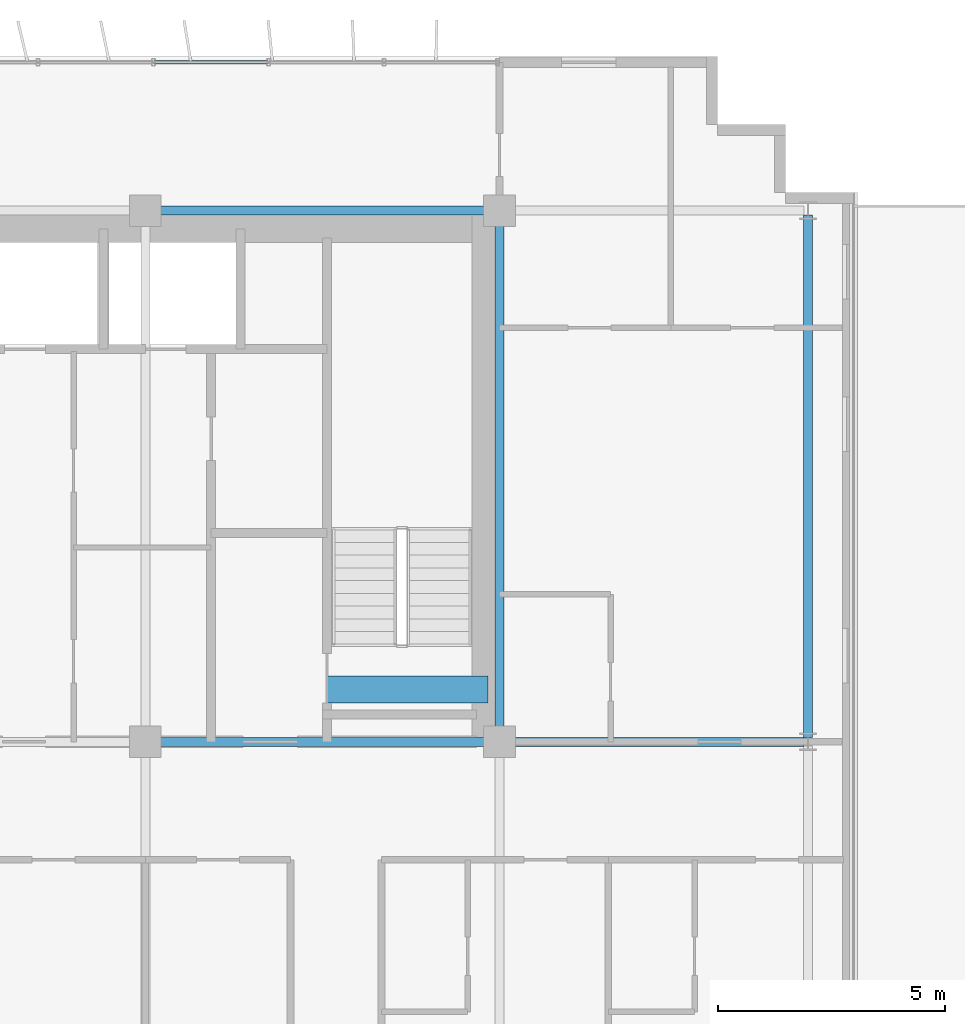
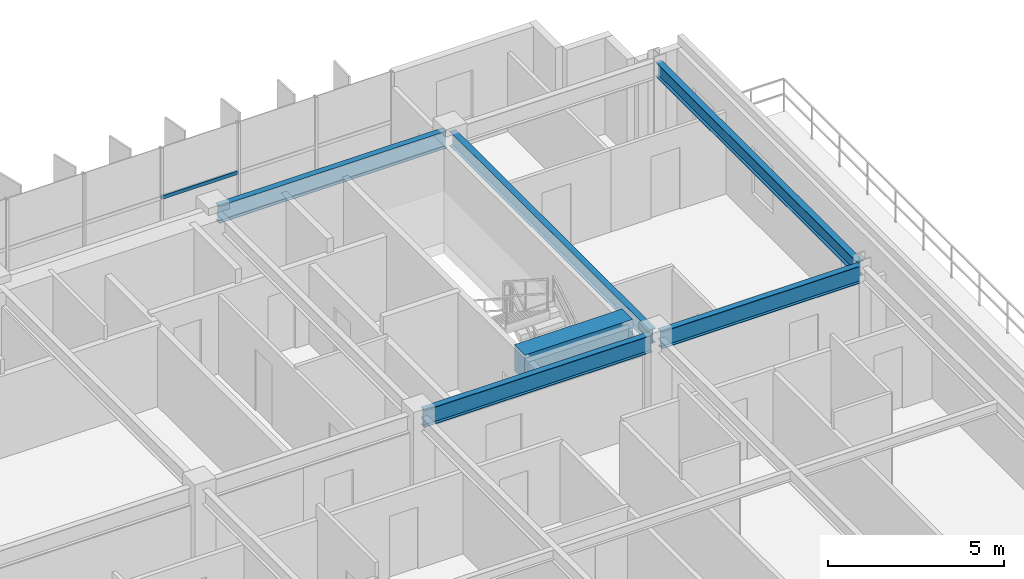
# One storey, part 10 of 22: 6 beams, 1 member, 1 element without a shape of its own.
"""IFC4 building model written with IfcOpenShell, lengths in metres."""

from ifc_helpers import new_model, si_unit, direction, frame, origin, origin_2d, place, context, subcontext, project, spatial, rectangle, hollow_rectangle, i_section, extrude, source, transform, mapped, material, material_profile, profile_set, type_object, element, aggregate, save


model = new_model("IFC4")

# Units and contexts
model_context = context("Model", 3, precision=1e-05, world=origin(), true_north=direction((0.0, 1.0)))
body_context = subcontext(model_context, "Body", "Model", "MODEL_VIEW")
ifc_project = project(units=[si_unit("LENGTHUNIT", "METRE"), si_unit("AREAUNIT", "SQUARE_METRE"), si_unit("VOLUMEUNIT", "CUBIC_METRE"), si_unit("PLANEANGLEUNIT", "RADIAN"), si_unit("MASSUNIT", "GRAM", prefix="KILO")], contexts=[model_context])

# Site, building, storey
site_placement = place(None, origin())
site = spatial("IfcSite", under=ifc_project, at=site_placement, CompositionType="ELEMENT")
building_placement = place(site_placement, origin())
building = spatial("IfcBuilding", under=site, at=building_placement, Name="Trelvane Seafront Commons", CompositionType="ELEMENT")
storey_placement = place(building_placement, frame((0.0, 0.0, 132.10009765625)))
storey = spatial("IfcBuildingStorey", under=building, at=storey_placement, Name="L34", CompositionType="ELEMENT", Elevation=132.10009765625)

# Beams
ifc_material_1 = material(Name="Concrete C60/75", Category="concrete")
ifc_material_profile_1 = material_profile(ifc_material_1, rectangle(XDim=0.60009765625, YDim=0.89990234375, at=origin_2d()), Name="RC-600x900")
ifc_profile_set_1 = profile_set([ifc_material_profile_1], Name="Concrete C60/75")
beam_type_1 = type_object("IfcBeamType", Name="STR-LNT-RC600x900", PredefinedType="LINTEL", material=ifc_profile_set_1)
shared_shape_1 = source(origin(), body_context, "Body", "SweptSolid", [
    extrude(rectangle(XDim=0.60009765625, YDim=0.89990234375, at=origin_2d()), origin(), (0.0, 0.0, 1.0), 3.550048828125),
])
beam_1_placement = place(storey_placement, frame((55.0, 34.550048828125, 2.89990234375), z_axis=(1.0, 0.0, 0.0), x_axis=(0.0, 1.0, 0.0)))
element("IfcBeam", 1, at=beam_1_placement, inside=storey, type_object=beam_type_1, Name="L34 Core Coupling Lintel Beam CB-68", PredefinedType="LINTEL", context=body_context, shape_type="MappedRepresentation", body=[
    mapped(shared_shape_1, transform((0.0, 0.0, 0.0), x_axis=(1.0, 0.0, 0.0), y_axis=(0.0, 1.0, 0.0), z_axis=(0.0, 0.0, 1.0), scale=1.0)),
])
ifc_material_2 = material(Name="Steel SM355 (S355)", Category="steel")
ifc_material_profile_2 = material_profile(ifc_material_2, i_section(OverallWidth=0.199951171875, OverallDepth=0.5, WebThickness=0.010009765625, FlangeThickness=0.01611328125, at=origin_2d()), Name="H-500x200x10x16")
ifc_profile_set_2 = profile_set([ifc_material_profile_2], Name="Steel SM355 (S355)")
beam_type_2 = type_object("IfcBeamType", Name="STR-BM-H500", PredefinedType="BEAM", material=ifc_profile_set_2)
shared_shape_2 = source(origin(), body_context, "Body", "SweptSolid", [
    extrude(i_section(OverallWidth=0.199951171875, OverallDepth=0.5, WebThickness=0.010009765625, FlangeThickness=0.01611328125, at=origin_2d()), origin(), (0.0, 0.0, 1.0), 11.39990234375),
])
beam_2_placement = place(storey_placement, frame((58.800048828125, 33.550048828125, 3.099853515625), z_axis=(0.0, 1.0, 0.0), x_axis=(-1.0, 0.0, 0.0)))
element("IfcBeam", 2, at=beam_2_placement, inside=storey, type_object=beam_type_2, Name="L34 Primary Girder G-49", PredefinedType="BEAM", context=body_context, shape_type="MappedRepresentation", body=[
    mapped(shared_shape_2, transform((0.0, 0.0, 0.0), x_axis=(1.0, 0.0, 0.0), y_axis=(0.0, 1.0, 0.0), z_axis=(0.0, 0.0, 1.0), scale=1.0)),
])
ifc_material_profile_3 = material_profile(ifc_material_2, i_section(OverallWidth=0.199951171875, OverallDepth=0.60009765625, WebThickness=0.010986328125, FlangeThickness=0.01708984375, at=origin_2d()), Name="H-600x200x11x17")
ifc_profile_set_3 = profile_set([ifc_material_profile_3], Name="Steel SM355 (S355)")
beam_type_3 = type_object("IfcBeamType", Name="STR-SPD-H600", PredefinedType="SPANDREL", material=ifc_profile_set_3)
shared_shape_3 = source(origin(), body_context, "Body", "SweptSolid", [
    extrude(i_section(OverallWidth=0.199951171875, OverallDepth=0.60009765625, WebThickness=0.010986328125, FlangeThickness=0.01708984375, at=origin_2d()), origin(), (0.0, 0.0, 1.0), 6.554931640625),
])
beam_3_placement = place(storey_placement, frame((58.949951171875, 33.39990234375, 3.0498046875), z_axis=(1.0, 0.0, 0.0), x_axis=(0.0, 1.0, 0.0)))
element("IfcBeam", 3, at=beam_3_placement, inside=storey, type_object=beam_type_3, Name="L34 Primary Girder G-21", PredefinedType="SPANDREL", context=body_context, shape_type="MappedRepresentation", body=[
    mapped(shared_shape_3, transform((0.0, 0.0, 0.0), x_axis=(1.0, 0.0, 0.0), y_axis=(0.0, 1.0, 0.0), z_axis=(0.0, 0.0, 1.0), scale=1.0)),
])
shared_shape_4 = source(origin(), body_context, "Body", "SweptSolid", [
    extrude(i_section(OverallWidth=0.199951171875, OverallDepth=0.60009765625, WebThickness=0.010986328125, FlangeThickness=0.01708984375, at=origin_2d()), origin(), (0.0, 0.0, 1.0), 7.5),
])
for number, where, z_axis, x_axis, name in (
    (4, (51.14990234375, 33.39990234375, 3.0498046875), (1.0, 0.0, 0.0), (0.0, 1.0, 0.0), "L34 Primary Girder G-20"),
    (5, (51.14990234375, 45.10009765625, 3.0498046875), (1.0, 0.0, 0.0), (0.0, 1.0, 0.0), "L34 Primary Girder G-27"),
):
    element("IfcBeam", number, at=place(storey_placement, frame(where, z_axis=z_axis, x_axis=x_axis)), inside=storey, type_object=beam_type_3, Name=name, PredefinedType="SPANDREL", context=body_context, shape_type="MappedRepresentation", body=[
        mapped(shared_shape_4, transform((0.0, 0.0, 0.0), x_axis=(1.0, 0.0, 0.0), y_axis=(0.0, 1.0, 0.0), z_axis=(0.0, 0.0, 1.0), scale=1.0)),
    ])
shared_shape_5 = source(origin(), body_context, "Body", "SweptSolid", [
    extrude(i_section(OverallWidth=0.199951171875, OverallDepth=0.5, WebThickness=0.010009765625, FlangeThickness=0.01611328125, at=origin_2d()), origin(), (0.0, 0.0, 1.0), 11.509765625),
])
beam_4_placement = place(storey_placement, frame((65.60009765625, 33.4951171875, 3.099853515625), z_axis=(0.0, 1.0, 0.0), x_axis=(-1.0, 0.0, 0.0)))
element("IfcBeam", 6, at=beam_4_placement, inside=storey, type_object=beam_type_2, Name="L34 Primary Girder G-52", PredefinedType="BEAM", context=body_context, shape_type="MappedRepresentation", body=[
    mapped(shared_shape_5, transform((0.0, 0.0, 0.0), x_axis=(1.0, 0.0, 0.0), y_axis=(0.0, 1.0, 0.0), z_axis=(0.0, 0.0, 1.0), scale=1.0)),
])

# Curtain wall, member
ifc_material_3 = material(Name="Anodised pale-silver aluminium", Category="aluminium")
curtain_wall_type = type_object("IfcCurtainWallType", Name="ARCH-CW5-UPTOWER", PredefinedType="NOTDEFINED", material=ifc_material_3)
curtain_wall_placement = place(storey_placement, origin())
curtain_wall = element("IfcCurtainWall", 7, at=curtain_wall_placement, inside=storey, type_object=curtain_wall_type, Name="CW-L34-0061", PredefinedType="NOTDEFINED")
ifc_material_profile_4 = material_profile(ifc_material_3, hollow_rectangle(XDim=0.070068359375, YDim=0.1201171875, WallThickness=0.00390625, at=origin_2d()), Name="TRAN-70x120x4")
ifc_profile_set_4 = profile_set([ifc_material_profile_4], Name="Anodised pale-silver aluminium")
member_type = type_object("IfcMemberType", Name="ARCH-CW-TRAN-120", PredefinedType="USERDEFINED", material=ifc_profile_set_4)
shared_shape_6 = source(origin(), body_context, "Body", "SweptSolid", [
    extrude(hollow_rectangle(XDim=0.070068359375, YDim=0.1201171875, WallThickness=0.00390625, at=origin_2d()), origin(), (0.0, 0.0, 1.0), 2.51708984375),
])
member_placement = place(storey_placement, frame((51.1884765625, 48.3701171875, 1.60791015625), z_axis=(1.0, 0.0, 0.0), x_axis=(0.0, 1.0, 0.0)))
member = element("IfcMember", 8, at=member_placement, type_object=member_type, Name="CW-L34-0061-T14", ObjectType="TRANSOM", PredefinedType="USERDEFINED", context=body_context, shape_type="MappedRepresentation", body=[
    mapped(shared_shape_6, transform((0.0, 0.0, 0.0), x_axis=(1.0, 0.0, 0.0), y_axis=(0.0, 1.0, 0.0), z_axis=(0.0, 0.0, 1.0), scale=1.0)),
])
aggregate(curtain_wall, [member])

save(model, "model.ifc")
